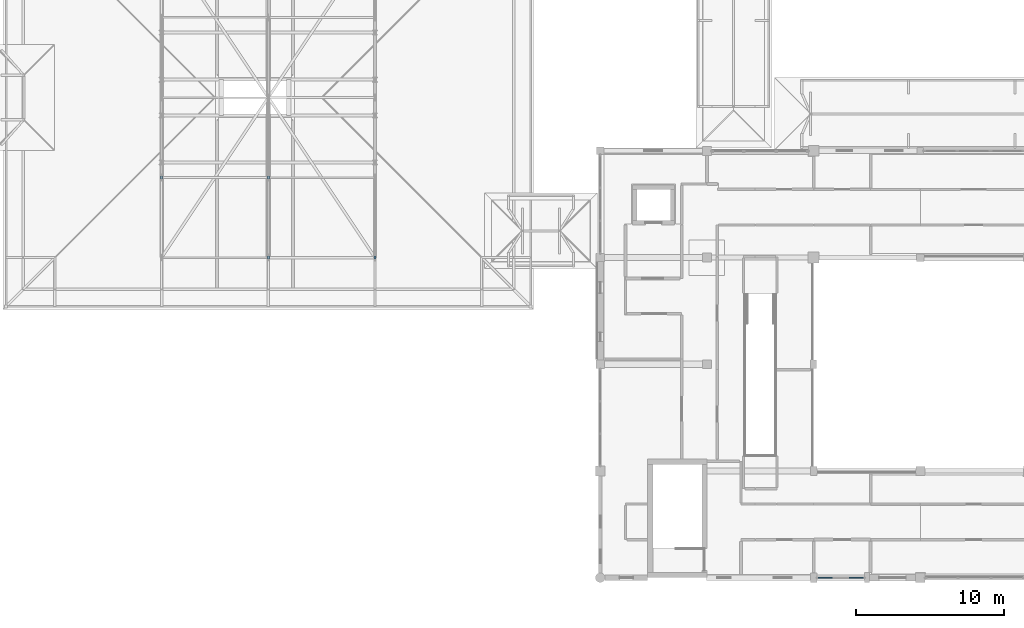
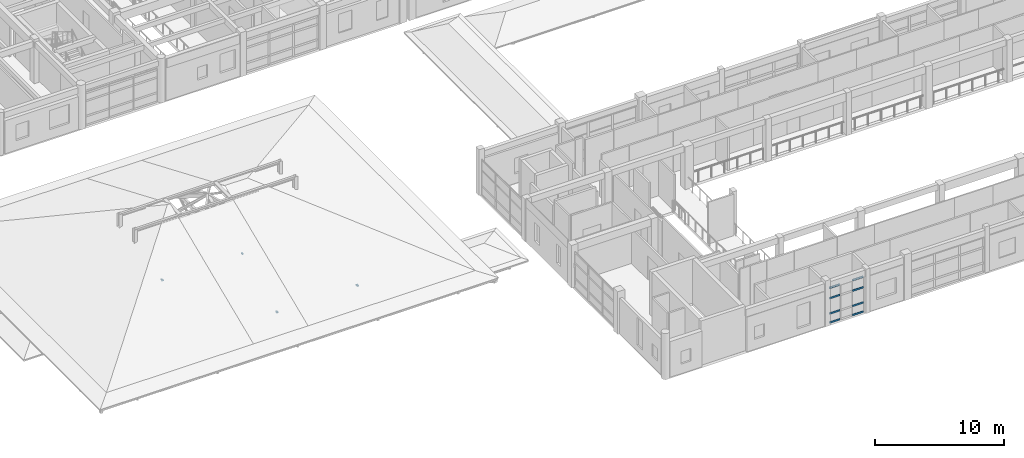
# One storey, part 52 of 110: 12 members, 1 element without a shape of its own.
"""IFC4 building model written with IfcOpenShell, lengths in metres."""

from ifc_helpers import new_model, si_unit, direction, frame, origin, origin_2d, place, context, subcontext, project, spatial, rectangle, extrude, material, material_profile, profile_set, type_object, element, aggregate, save


model = new_model("IFC4")

# Units and contexts
model_context = context("Model", 3, precision=1e-05, world=origin(), true_north=direction((0.0, 1.0)))
body_context = subcontext(model_context, "Body", "Model", "MODEL_VIEW")
ifc_project = project(units=[si_unit("LENGTHUNIT", "METRE"), si_unit("AREAUNIT", "SQUARE_METRE"), si_unit("VOLUMEUNIT", "CUBIC_METRE"), si_unit("PLANEANGLEUNIT", "RADIAN"), si_unit("MASSUNIT", "GRAM", prefix="KILO")], contexts=[model_context])

# Site, building, storey
site_placement = place(None, origin())
site = spatial("IfcSite", under=ifc_project, at=site_placement, CompositionType="ELEMENT")
building_placement = place(site_placement, origin())
building = spatial("IfcBuilding", under=site, at=building_placement, Name="Steenspoor Specialist Clinic", CompositionType="ELEMENT")
storey_placement = place(building_placement, frame((0.0, 0.0, 4.800048828125)))
storey = spatial("IfcBuildingStorey", under=building, at=storey_placement, Name="L01", CompositionType="ELEMENT", Elevation=4.800048828125)

# Curtain wall, members
ifc_material_1 = material(Name="Thermally broken aluminium and low-emissivity glass", Category="aluminium")
curtain_wall_type = type_object("IfcCurtainWallType", Name="CW-WLK-640X340", PredefinedType="USERDEFINED", material=ifc_material_1)
curtain_wall_placement = place(storey_placement, origin())
curtain_wall = element("IfcCurtainWall", 1, at=curtain_wall_placement, inside=storey, type_object=curtain_wall_type, Name="Unitised Curtain Wall CW-V1-L01-020", ObjectType="UNITISED GLAZING", PredefinedType="USERDEFINED")
ifc_material_2 = material(Name="Thermally broken aluminium 6063-T6", Category="aluminium")
ifc_material_profile_1 = material_profile(ifc_material_2, rectangle(XDim=0.080078125, YDim=0.159912109375, at=origin_2d()), Name="CWT-80X160")
ifc_profile_set_1 = profile_set([ifc_material_profile_1], Name="Thermally broken aluminium 6063-T6")
member_type_1 = type_object("IfcMemberType", Name="CW-TRAN-80X160", PredefinedType="USERDEFINED", material=ifc_profile_set_1)
member_1_placement = place(storey_placement, frame((62.9599609375, 13.050048828125, 0.0400390625), z_axis=(-1.0, 0.0, 0.0), x_axis=(0.0, -1.0, 0.0)))
member_1 = element("IfcMember", 2, at=member_1_placement, type_object=member_type_1, Name="CW-20 transom 1.1", ObjectType="TRANSOM", PredefinedType="USERDEFINED", context=body_context, shape_type="SweptSolid", body=[
    extrude(rectangle(XDim=0.080078125, YDim=0.159912109375, at=origin_2d()), origin(), (0.0, 0.0, 1.0), 0.96337890625),
])
member_2_placement = place(storey_placement, frame((62.9599609375, 13.050048828125, 0.89990234375), z_axis=(-1.0, 0.0, 0.0), x_axis=(0.0, -1.0, 0.0)))
member_2 = element("IfcMember", 3, at=member_2_placement, type_object=member_type_1, Name="CW-20 transom 1.2", ObjectType="TRANSOM", PredefinedType="USERDEFINED", context=body_context, shape_type="SweptSolid", body=[
    extrude(rectangle(XDim=0.080078125, YDim=0.159912109375, at=origin_2d()), origin(), (0.0, 0.0, 1.0), 0.96337890625),
])
member_3_placement = place(storey_placement, frame((62.9599609375, 13.050048828125, 2.349853515625), z_axis=(-1.0, 0.0, 0.0), x_axis=(0.0, -1.0, 0.0)))
member_3 = element("IfcMember", 4, at=member_3_placement, type_object=member_type_1, Name="CW-20 transom 1.3", ObjectType="TRANSOM", PredefinedType="USERDEFINED", context=body_context, shape_type="SweptSolid", body=[
    extrude(rectangle(XDim=0.080078125, YDim=0.159912109375, at=origin_2d()), origin(), (0.0, 0.0, 1.0), 0.96337890625),
])
member_4_placement = place(storey_placement, frame((62.9599609375, 13.050048828125, 3.33984375), z_axis=(-1.0, 0.0, 0.0), x_axis=(0.0, -1.0, 0.0)))
member_4 = element("IfcMember", 5, at=member_4_placement, type_object=member_type_1, Name="CW-20 transom 1.4", ObjectType="TRANSOM", PredefinedType="USERDEFINED", context=body_context, shape_type="SweptSolid", body=[
    extrude(rectangle(XDim=0.080078125, YDim=0.159912109375, at=origin_2d()), origin(), (0.0, 0.0, 1.0), 0.96337890625),
])
member_5_placement = place(storey_placement, frame((60.8583984375, 13.050048828125, 0.0400390625), z_axis=(-1.0, 0.0, 0.0), x_axis=(0.0, -1.0, 0.0)))
member_5 = element("IfcMember", 6, at=member_5_placement, type_object=member_type_1, Name="CW-20 transom 3.1", ObjectType="TRANSOM", PredefinedType="USERDEFINED", context=body_context, shape_type="SweptSolid", body=[
    extrude(rectangle(XDim=0.080078125, YDim=0.159912109375, at=origin_2d()), origin(), (0.0, 0.0, 1.0), 0.96337890625),
])
member_6_placement = place(storey_placement, frame((60.8583984375, 13.050048828125, 0.89990234375), z_axis=(-1.0, 0.0, 0.0), x_axis=(0.0, -1.0, 0.0)))
member_6 = element("IfcMember", 7, at=member_6_placement, type_object=member_type_1, Name="CW-20 transom 3.2", ObjectType="TRANSOM", PredefinedType="USERDEFINED", context=body_context, shape_type="SweptSolid", body=[
    extrude(rectangle(XDim=0.080078125, YDim=0.159912109375, at=origin_2d()), origin(), (0.0, 0.0, 1.0), 0.96337890625),
])
member_7_placement = place(storey_placement, frame((60.8583984375, 13.050048828125, 2.349853515625), z_axis=(-1.0, 0.0, 0.0), x_axis=(0.0, -1.0, 0.0)))
member_7 = element("IfcMember", 8, at=member_7_placement, type_object=member_type_1, Name="CW-20 transom 3.3", ObjectType="TRANSOM", PredefinedType="USERDEFINED", context=body_context, shape_type="SweptSolid", body=[
    extrude(rectangle(XDim=0.080078125, YDim=0.159912109375, at=origin_2d()), origin(), (0.0, 0.0, 1.0), 0.96337890625),
])
member_8_placement = place(storey_placement, frame((60.8583984375, 13.050048828125, 3.33984375), z_axis=(-1.0, 0.0, 0.0), x_axis=(0.0, -1.0, 0.0)))
member_8 = element("IfcMember", 9, at=member_8_placement, type_object=member_type_1, Name="CW-20 transom 3.4", ObjectType="TRANSOM", PredefinedType="USERDEFINED", context=body_context, shape_type="SweptSolid", body=[
    extrude(rectangle(XDim=0.080078125, YDim=0.159912109375, at=origin_2d()), origin(), (0.0, 0.0, 1.0), 0.96337890625),
])
aggregate(curtain_wall, [member_1, member_2, member_3, member_4, member_5, member_6, member_7, member_8])

# Members
ifc_material_3 = material(Name="Glulam GL28h", Category="wood")
ifc_material_profile_2 = material_profile(ifc_material_3, rectangle(XDim=0.139892578125, YDim=0.219970703125, at=origin_2d()), Name="GL28H-140X220")
ifc_profile_set_2 = profile_set([ifc_material_profile_2], Name="Glulam GL28h")
member_type_2 = type_object("IfcMemberType", Name="MEM-RAFTER-GL220", PredefinedType="RAFTER", material=ifc_profile_set_2)
member_9_placement = place(storey_placement, frame((22.800048828125, 34.64990234375, 0.884033203125), z_axis=(0.0, 0.0, 1.0), x_axis=(1.0, 0.0, 0.0)))
element("IfcMember", 10, at=member_9_placement, inside=storey, type_object=member_type_2, Name="ROOF TRUSS Purlin Pack 181B", PredefinedType="RAFTER", context=body_context, shape_type="SweptSolid", body=[
    extrude(rectangle(XDim=0.139892578125, YDim=0.219970703125, at=origin_2d()), origin(), (0.0, 0.0, 1.0), 0.1318359375),
])
member_10_placement = place(storey_placement, frame((15.60009765625, 40.050048828125, 3.203369140625), z_axis=(0.0, 0.0, 1.0), x_axis=(1.0, 0.0, 0.0)))
element("IfcMember", 11, at=member_10_placement, inside=storey, type_object=member_type_2, Name="ROOF TRUSS Purlin Pack 182A", PredefinedType="RAFTER", context=body_context, shape_type="SweptSolid", body=[
    extrude(rectangle(XDim=0.139892578125, YDim=0.219970703125, at=origin_2d()), origin(), (0.0, 0.0, 1.0), 0.088623046875),
])
member_11_placement = place(storey_placement, frame((22.800048828125, 40.050048828125, 3.162109375), z_axis=(0.0, 0.0, 1.0), x_axis=(1.0, 0.0, 0.0)))
element("IfcMember", 12, at=member_11_placement, inside=storey, type_object=member_type_2, Name="ROOF TRUSS Purlin Pack 182B", PredefinedType="RAFTER", context=body_context, shape_type="SweptSolid", body=[
    extrude(rectangle(XDim=0.139892578125, YDim=0.219970703125, at=origin_2d()), origin(), (0.0, 0.0, 1.0), 0.111328125),
])
member_12_placement = place(storey_placement, frame((30.0, 34.64990234375, 0.92529296875), z_axis=(0.0, 0.0, 1.0), x_axis=(1.0, 0.0, 0.0)))
element("IfcMember", 13, at=member_12_placement, inside=storey, type_object=member_type_2, Name="ROOF TRUSS Purlin Pack 186B", PredefinedType="RAFTER", context=body_context, shape_type="SweptSolid", body=[
    extrude(rectangle(XDim=0.139892578125, YDim=0.219970703125, at=origin_2d()), origin(), (0.0, 0.0, 1.0), 0.088623046875),
])

save(model, "model.ifc")
